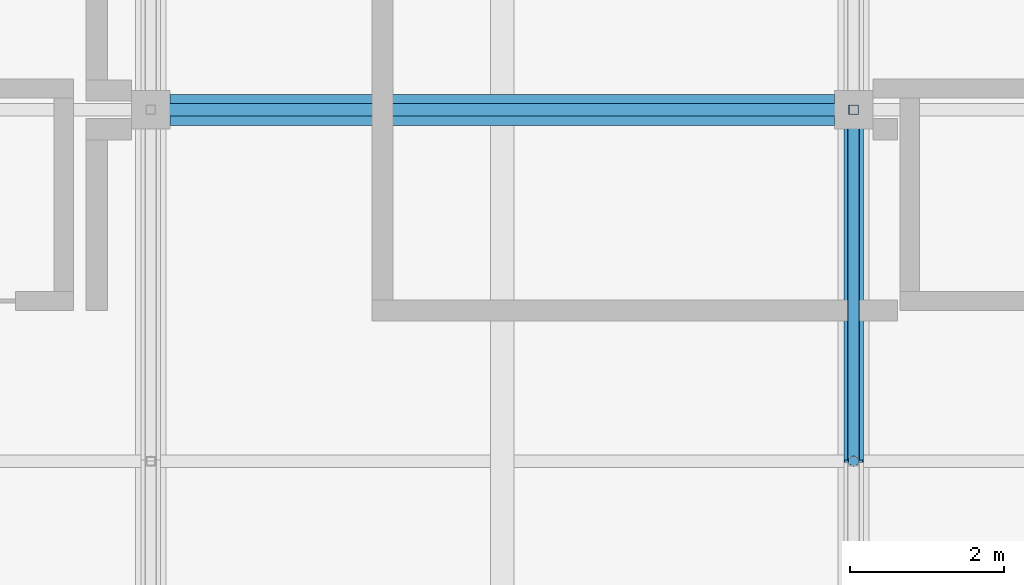
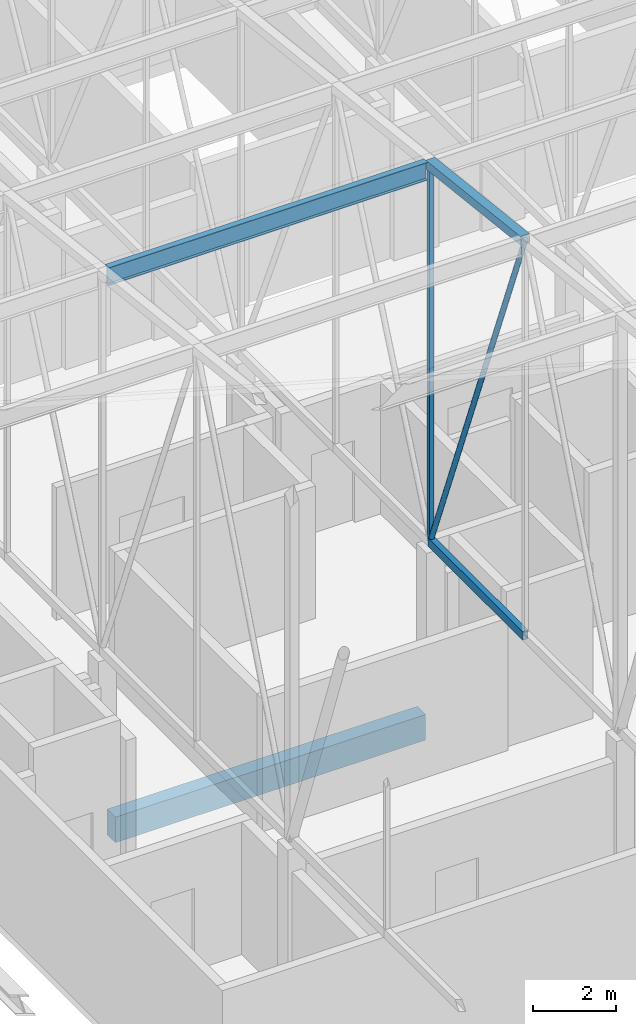
# One storey, part 292 of 500: 5 members, 1 beam.
"""IFC4 building model written with IfcOpenShell, lengths in metres."""

import ifcopenshell
import ifcopenshell.guid

model = None  # the IFC model being written
_history = None  # IfcOwnerHistory: only IFC2X3 demands one
_inside = {}  # id of a spatial element -> (the spatial element, [elements in it])
_under = {}  # id of a project, library or spatial element -> (it, [spatial elements below it])
_declared = {}  # id of a project -> (the project, [libraries it declares])
_typed = {}  # id of a type object -> (the type object, [elements of that type])
_made_of = {}  # id of a material, layer set ... -> (it, [elements and type objects made of it])


def new_model(schema):
    """Start an empty IFC model of exactly this schema.

    Asked for "IFC4X3", IfcOpenShell would pick the latest addendum, in which some entities
    have other attributes; the version numbers below select the first issue.
    IFC2X3 requires an IfcOwnerHistory on every rooted entity: one is made here for all.
    """
    global model, _history
    if schema == "IFC4X3":
        model = ifcopenshell.file(schema_version=(4, 3, 0, 0))
    else:
        model = ifcopenshell.file(schema=schema)
    _inside.clear()
    _under.clear()
    _declared.clear()
    _typed.clear()
    _made_of.clear()
    _history = None
    if model.schema == "IFC2X3":
        org = make("IfcOrganization", Name="unknown")
        user = make(
            "IfcPersonAndOrganization",
            ThePerson=make("IfcPerson", FamilyName="unknown"),
            TheOrganization=org,
        )
        app = make(
            "IfcApplication",
            ApplicationDeveloper=org,
            Version="unknown",
            ApplicationFullName="unknown",
            ApplicationIdentifier="unknown",
        )
        _history = make(
            "IfcOwnerHistory",
            OwningUser=user,
            OwningApplication=app,
            ChangeAction="ADDED",
            CreationDate=0,
        )
    return model


def make(cls, **values):
    """One entity of the class cls with the attributes given. An attribute that is None is left unset."""
    return model.create_entity(
        cls, **{name: value for name, value in values.items() if value is not None}
    )


def rooted(cls, **values):
    """An entity with a GlobalId (a new one), such as an element, a storey or a relation."""
    return make(cls, GlobalId=ifcopenshell.guid.new(), OwnerHistory=_history, **values)


def si_unit(unit_type, name, prefix=None):
    """IfcSIUnit, for example si_unit("LENGTHUNIT", "METRE", prefix="MILLI")."""
    return make("IfcSIUnit", UnitType=unit_type, Prefix=prefix, Name=name)


def assignment(units):
    """IfcUnitAssignment: the units of a project."""
    return None if units is None else make("IfcUnitAssignment", Units=units)


def point(xyz):
    """IfcCartesianPoint."""
    return None if xyz is None else make("IfcCartesianPoint", Coordinates=xyz)


def direction(xyz):
    """IfcDirection."""
    return None if xyz is None else make("IfcDirection", DirectionRatios=xyz)


def frame(location, z_axis=None, x_axis=None):
    """IfcAxis2Placement3D, a coordinate frame: its origin and axes. An axis left out is left unset."""
    return make(
        "IfcAxis2Placement3D",
        Location=point(location),
        Axis=direction(z_axis),
        RefDirection=direction(x_axis),
    )


def frame_2d(location, x_axis=None):
    """IfcAxis2Placement2D, a coordinate frame in the plane: its origin and x axis."""
    return make(
        "IfcAxis2Placement2D", Location=point(location), RefDirection=direction(x_axis)
    )


def origin():
    """The frame at (0, 0, 0) with its axes left unset."""
    return frame((0.0, 0.0, 0.0))


def origin_2d():
    """The frame at (0, 0) in the plane with its x axis left unset."""
    return frame_2d((0.0, 0.0))


def place(relative_to, where):
    """IfcLocalPlacement: puts the frame where relative to a parent placement (None: the world)."""
    return make(
        "IfcLocalPlacement", PlacementRelTo=relative_to, RelativePlacement=where
    )


def context(
    kind, dimensions, precision=None, world=None, true_north=None, identifier=None
):
    """IfcGeometricRepresentationContext, for example the 3D "Model" context."""
    return make(
        "IfcGeometricRepresentationContext",
        ContextIdentifier=identifier,
        ContextType=kind,
        CoordinateSpaceDimension=dimensions,
        Precision=precision,
        WorldCoordinateSystem=world,
        TrueNorth=true_north,
    )


def subcontext(parent, identifier, kind, view, scale=None):
    """IfcGeometricRepresentationSubContext, for example "Body" below "Model"."""
    return make(
        "IfcGeometricRepresentationSubContext",
        ContextIdentifier=identifier,
        ContextType=kind,
        ParentContext=parent,
        TargetScale=scale,
        TargetView=view,
    )


def project(units=None, contexts=None):
    """IfcProject with its units and contexts."""
    return rooted(
        "IfcProject",
        Name="project",
        RepresentationContexts=contexts,
        UnitsInContext=assignment(units),
    )


def spatial(cls, under=None, at=None, **own):
    """A site, building, storey or space (cls), placed at a placement, below another one or the project."""
    s = rooted(cls, ObjectPlacement=at, **own)
    if under is not None:
        _under.setdefault(under.id(), (under, []))[1].append(s)
    return s


def profile(cls, at=None, kind="AREA", **sizes):
    """A parametric profile (cls). Its sizes go by their IFC names, for example OverallWidth=200.0."""
    return make(cls, ProfileType=kind, Position=at, **sizes)


def rectangle(**sizes):
    """IfcRectangleProfileDef."""
    return profile("IfcRectangleProfileDef", **sizes)


def hollow_rectangle(**sizes):
    """IfcRectangleHollowProfileDef."""
    return profile("IfcRectangleHollowProfileDef", **sizes)


def hollow_circle(**sizes):
    """IfcCircleHollowProfileDef."""
    return profile("IfcCircleHollowProfileDef", **sizes)


def i_section(**sizes):
    """IfcIShapeProfileDef."""
    return profile("IfcIShapeProfileDef", **sizes)


def extrude(swept, where, along, depth):
    """IfcExtrudedAreaSolid: the profile swept, set in the frame where, extruded along a direction by depth."""
    return make(
        "IfcExtrudedAreaSolid",
        SweptArea=swept,
        Position=where,
        ExtrudedDirection=direction(along),
        Depth=depth,
    )


def shape(context_of_items, identifier, shape_type, items):
    """IfcShapeRepresentation: the items that make up one representation, for example the "Body"."""
    return make(
        "IfcShapeRepresentation",
        ContextOfItems=context_of_items,
        RepresentationIdentifier=identifier,
        RepresentationType=shape_type,
        Items=items,
    )


def material(Name=None, Category=None):
    """IfcMaterial."""
    return make("IfcMaterial", Name=Name, Category=Category)


def material_profile(
    of_material, cross_section, Name=None, Category=None, Priority=None
):
    """IfcMaterialProfile: a cross section and its material."""
    return make(
        "IfcMaterialProfile",
        Name=Name,
        Material=of_material,
        Profile=cross_section,
        Priority=Priority,
        Category=Category,
    )


def profile_set(profiles, Name=None, composite=None):
    """IfcMaterialProfileSet."""
    return make(
        "IfcMaterialProfileSet",
        Name=Name,
        MaterialProfiles=profiles,
        CompositeProfile=composite,
    )


def made_of(thing, what):
    """Note that an element or type object is made of a material, layer set ...; save() writes the relation."""
    if what is not None:
        _made_of.setdefault(what.id(), (what, []))[1].append(thing)
    return thing


def type_object(cls, material=None, **own):
    """A type object (cls), such as IfcWallType, which elements share."""
    return made_of(rooted(cls, **own), material)


def element(
    cls,
    number,
    at=None,
    inside=None,
    cuts=None,
    type_object=None,
    material=None,
    context=None,
    identifier="Body",
    shape_type=None,
    held_by="IfcProductDefinitionShape",
    body=None,
    shapes=None,
    **own,
):
    """One element of the class cls, such as IfcWall. Its Tag is "e" and its number.

    at: its placement. inside: the storey or other place that contains it. cuts: it is an
    opening in that element (IfcRelVoidsElement). A single representation is given by context,
    identifier, shape_type and body (its items); several are given by shapes. held_by: the class
    of the entity that holds the representations. save() writes the other relations.
    """
    e = rooted(cls, Tag="e%d" % number, ObjectPlacement=at, **own)
    if body is not None:
        shapes = [shape(context, identifier, shape_type, body)]
    if shapes is not None:
        e.Representation = make(held_by, Representations=shapes)
    if inside is not None:
        _inside.setdefault(inside.id(), (inside, []))[1].append(e)
    if cuts is not None:
        rooted(
            "IfcRelVoidsElement", RelatingBuildingElement=cuts, RelatedOpeningElement=e
        )
    if type_object is not None:
        _typed.setdefault(type_object.id(), (type_object, []))[1].append(e)
    return made_of(e, material)


def aggregate(whole, parts):
    """IfcRelAggregates: a whole, such as a stair, and the parts it consists of."""
    return rooted("IfcRelAggregates", RelatingObject=whole, RelatedObjects=parts)


def save(model, path):
    """Write the relations noted so far, then the file.

    IfcRelAggregates (storeys below a building ...), IfcRelContainedInSpatialStructure (elements
    in a storey), IfcRelDefinesByType, IfcRelAssociatesMaterial and IfcRelDeclares: one each for
    every whole, place, type object, material and project.
    """
    for whole, parts in _under.values():
        aggregate(whole, parts)
    for where, things in _inside.values():
        rooted(
            "IfcRelContainedInSpatialStructure",
            RelatedElements=things,
            RelatingStructure=where,
        )
    for kind, things in _typed.values():
        rooted("IfcRelDefinesByType", RelatedObjects=things, RelatingType=kind)
    for what, things in _made_of.values():
        rooted("IfcRelAssociatesMaterial", RelatedObjects=things, RelatingMaterial=what)
    for by, libraries in _declared.values():
        rooted("IfcRelDeclares", RelatingContext=by, RelatedDefinitions=libraries)
    model.write(path)


model = new_model("IFC4")

# Units and contexts
model_context = context("Model", 3, precision=1e-05, world=origin(), true_north=direction((0.0, 1.0)))
body_context = subcontext(model_context, "Body", "Model", "MODEL_VIEW")
ifc_project = project(units=[si_unit("LENGTHUNIT", "METRE"), si_unit("AREAUNIT", "SQUARE_METRE"), si_unit("VOLUMEUNIT", "CUBIC_METRE"), si_unit("PLANEANGLEUNIT", "RADIAN"), si_unit("MASSUNIT", "GRAM", prefix="KILO")], contexts=[model_context])

# Site, building, storey
site_placement = place(None, origin())
site = spatial("IfcSite", under=ifc_project, at=site_placement, CompositionType="ELEMENT")
building_placement = place(site_placement, origin())
building = spatial("IfcBuilding", under=site, at=building_placement, Name="Shirokan Park Arena", CompositionType="ELEMENT")
storey_placement = place(building_placement, frame((0.0, 0.0, 29.1201171875)))
storey = spatial("IfcBuildingStorey", under=building, at=storey_placement, Name="L06", CompositionType="ELEMENT", Elevation=29.1201171875)

# Members
ifc_material_1 = material(Name="Steel ASTM A500 Grade C", Category="steel")
ifc_material_profile_1 = material_profile(ifc_material_1, hollow_rectangle(XDim=0.152099609375, YDim=0.25390625, WallThickness=0.009521484375, at=origin_2d()), Name="HSS254X152.4X9.5")
ifc_profile_set_1 = profile_set([ifc_material_profile_1], Name="Steel ASTM A500 Grade C")
member_type_1 = type_object("IfcMemberType", Name="Bottom chord HSS254X152.4X9.5", PredefinedType="CHORD", material=ifc_profile_set_1)
member_1_placement = place(storey_placement, frame((118.300048828125, 77.35009765625, 4.677001953125), z_axis=(0.0, 1.0, 0.0), x_axis=(-1.0, 0.0, 0.0)))
element("IfcMember", 1, at=member_1_placement, inside=storey, type_object=member_type_1, Name="Truss T14 bottom chord 20", PredefinedType="CHORD", context=body_context, shape_type="SweptSolid", body=[
    extrude(hollow_rectangle(XDim=0.152099609375, YDim=0.25390625, WallThickness=0.009521484375, at=origin_2d()), origin(), (0.0, 0.0, 1.0), 4.5498046875),
])
ifc_material_2 = material(Name="Steel ASTM A992", Category="steel")
ifc_material_profile_2 = material_profile(ifc_material_2, i_section(OverallWidth=0.166015625, OverallDepth=0.528076171875, WebThickness=0.009765625, FlangeThickness=0.013671875, at=origin_2d()), Name="W530X74")
ifc_profile_set_2 = profile_set([ifc_material_profile_2], Name="Steel ASTM A992")
member_type_2 = type_object("IfcMemberType", Name="Purlin W530X74", PredefinedType="PURLIN", material=ifc_profile_set_2)
member_2_placement = place(storey_placement, frame((109.326904296875, 81.89990234375, 15.60595703125), z_axis=(1.0, 0.0, 0.0), x_axis=(0.0, 1.0, 0.0)))
element("IfcMember", 2, at=member_2_placement, inside=storey, type_object=member_type_2, Name="Purlin 21 bay 13", PredefinedType="PURLIN", context=body_context, shape_type="SweptSolid", body=[
    extrude(i_section(OverallWidth=0.166015625, OverallDepth=0.528076171875, WebThickness=0.009765625, FlangeThickness=0.013671875, at=origin_2d()), origin(), (0.0, 0.0, 1.0), 8.84619140625),
])

# Beam
ifc_material_3 = material(Name="Concrete C35", Category="concrete")
ifc_material_profile_3 = material_profile(ifc_material_3, rectangle(XDim=0.39990234375, YDim=0.75, at=origin_2d()), Name="400x750")
ifc_profile_set_3 = profile_set([ifc_material_profile_3], Name="Concrete C35")
beam_type = type_object("IfcBeamType", Name="RC girder 400x750", PredefinedType="BEAM", material=ifc_profile_set_3)
beam_placement = place(storey_placement, frame((109.4501953125, 81.89990234375, -0.5751953125), z_axis=(1.0, 0.0, 0.0), x_axis=(0.0, 1.0, 0.0)))
element("IfcBeam", 3, at=beam_placement, inside=storey, type_object=beam_type, Name="Girder 13K-14K L06", PredefinedType="BEAM", context=body_context, shape_type="SweptSolid", body=[
    extrude(rectangle(XDim=0.39990234375, YDim=0.75, at=origin_2d()), origin(), (0.0, 0.0, 1.0), 8.599609375),
])

# Members
ifc_material_profile_4 = material_profile(ifc_material_1, hollow_rectangle(XDim=0.25390625, YDim=0.25390625, WallThickness=0.009521484375, at=origin_2d()), Name="HSS254X254X9.5")
ifc_profile_set_4 = profile_set([ifc_material_profile_4], Name="Steel ASTM A500 Grade C")
member_type_3 = type_object("IfcMemberType", Name="Top chord HSS254X254X9.5", PredefinedType="CHORD", material=ifc_profile_set_4)
member_3_placement = place(storey_placement, frame((118.300048828125, 77.35009765625, 16.262939453125), z_axis=(0.0, 0.993531641592, -0.11355561261), x_axis=(-1.0, 0.0, 0.0)))
element("IfcMember", 4, at=member_3_placement, inside=storey, type_object=member_type_3, Name="Truss T14 top chord 20", PredefinedType="CHORD", context=body_context, shape_type="SweptSolid", body=[
    extrude(hollow_rectangle(XDim=0.25390625, YDim=0.25390625, WallThickness=0.009521484375, at=origin_2d()), origin(), (0.0, 0.0, 1.0), 4.579345703125),
])
ifc_material_profile_5 = material_profile(ifc_material_1, hollow_circle(Radius=0.070556640625, WallThickness=0.006591796875, at=origin_2d()), Name="HSS141.3X6.6")
ifc_profile_set_5 = profile_set([ifc_material_profile_5], Name="Steel ASTM A500 Grade C")
member_type_4 = type_object("IfcMemberType", Name="Truss diagonal HSS141.3X6.6", PredefinedType="BRACE", material=ifc_profile_set_5)
member_4_placement = place(storey_placement, frame((118.300048828125, 77.35009765625, 16.262939453125), z_axis=(0.0, 0.365526146051, -0.930801072493), x_axis=(-1.0, 0.0, 0.0)))
element("IfcMember", 5, at=member_4_placement, inside=storey, type_object=member_type_4, Name="Truss T14 diagonal 20", PredefinedType="BRACE", context=body_context, shape_type="SweptSolid", body=[
    extrude(hollow_circle(Radius=0.070556640625, WallThickness=0.006591796875, at=origin_2d()), origin(), (0.0, 0.0, 1.0), 12.447265625),
])
ifc_material_profile_6 = material_profile(ifc_material_1, hollow_rectangle(XDim=0.126953125, YDim=0.126953125, WallThickness=0.008056640625, at=origin_2d()), Name="HSS127X127X7.9")
ifc_profile_set_6 = profile_set([ifc_material_profile_6], Name="Steel ASTM A500 Grade C")
member_type_5 = type_object("IfcMemberType", Name="Truss post HSS127X127X7.9", PredefinedType="POST", material=ifc_profile_set_6)
member_5_placement = place(storey_placement, frame((118.300048828125, 81.89990234375, 4.677001953125), z_axis=(0.0, 0.0, 1.0), x_axis=(1.0, 0.0, 0.0)))
element("IfcMember", 6, at=member_5_placement, inside=storey, type_object=member_type_5, Name="Truss T14 post 21", PredefinedType="POST", context=body_context, shape_type="SweptSolid", body=[
    extrude(hollow_rectangle(XDim=0.126953125, YDim=0.126953125, WallThickness=0.008056640625, at=origin_2d()), origin(), (0.0, 0.0, 1.0), 11.06591796875),
])

save(model, "model.ifc")
